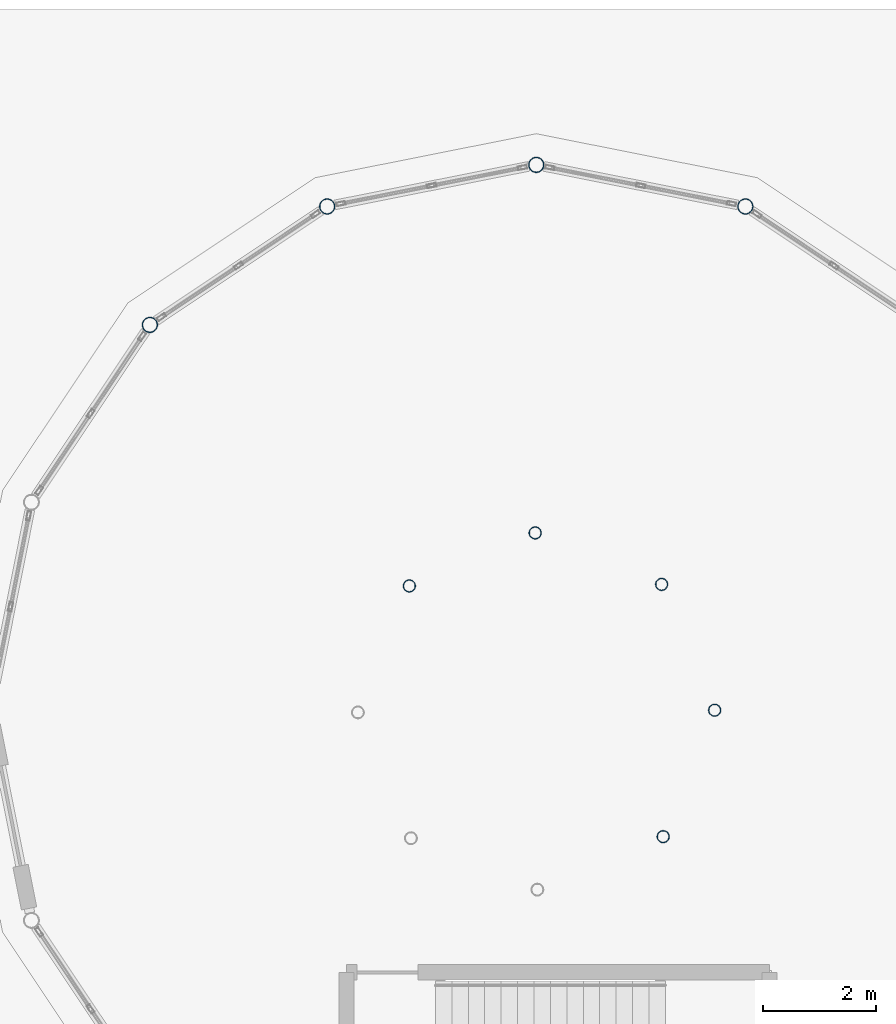
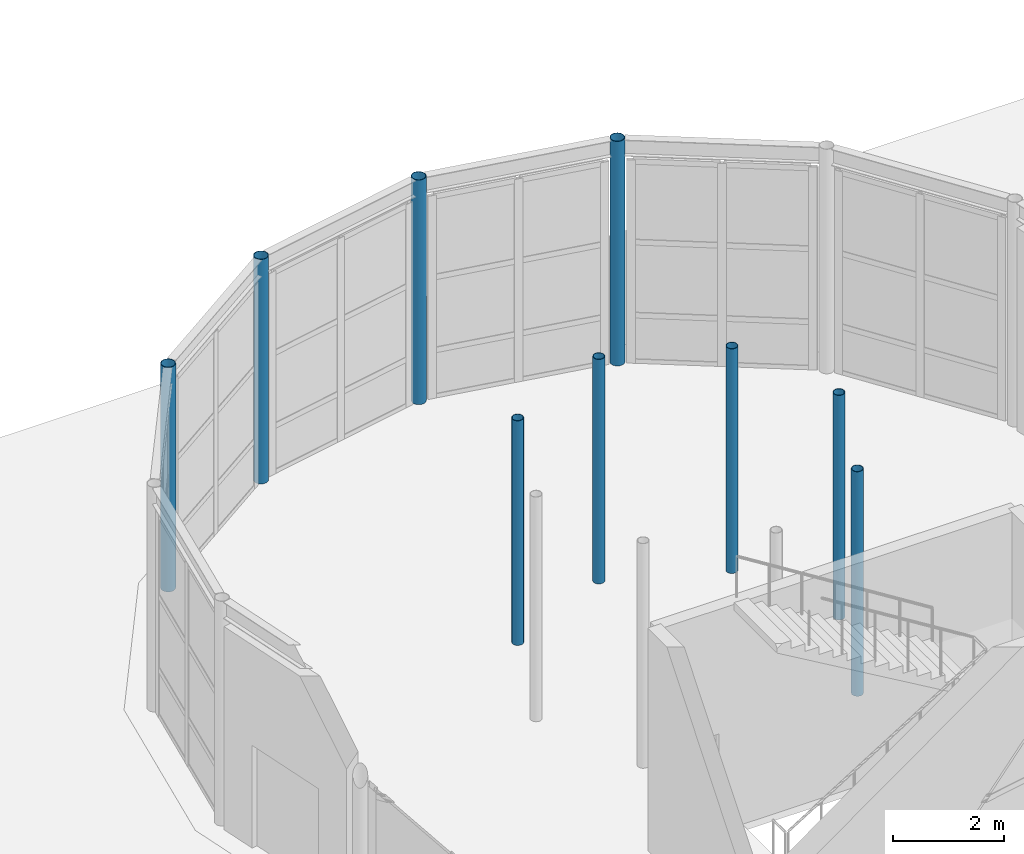
# One storey, part 4 of 57: 9 columns.
"""IFC4 building model written with IfcOpenShell, lengths in metres."""

from ifc_helpers import new_model, si_unit, direction, frame, origin, origin_2d, place, context, subcontext, project, spatial, hollow_circle, extrude, material, material_profile, profile_set, type_object, element, save


model = new_model("IFC4")

# Units and contexts
model_context = context("Model", 3, precision=1e-05, world=origin(), true_north=direction((0.0, 1.0)))
body_context = subcontext(model_context, "Body", "Model", "MODEL_VIEW")
ifc_project = project(units=[si_unit("LENGTHUNIT", "METRE"), si_unit("AREAUNIT", "SQUARE_METRE"), si_unit("VOLUMEUNIT", "CUBIC_METRE"), si_unit("PLANEANGLEUNIT", "RADIAN"), si_unit("MASSUNIT", "GRAM", prefix="KILO")], contexts=[model_context])

# Site, building, storey
site_placement = place(None, origin())
site = spatial("IfcSite", under=ifc_project, at=site_placement, CompositionType="ELEMENT")
building_placement = place(site_placement, origin())
building = spatial("IfcBuilding", under=site, at=building_placement, Name="Kharisveld Research Institute", CompositionType="ELEMENT")
storey_placement = place(building_placement, origin())
storey = spatial("IfcBuildingStorey", under=building, at=storey_placement, Name="L00", CompositionType="ELEMENT", Elevation=0.0)

# Columns
ifc_material_1 = material(Name="Steel S355J2H", Category="steel")
ifc_material_profile_1 = material_profile(ifc_material_1, hollow_circle(Radius=0.109619140625, WallThickness=0.010009765625, at=origin_2d()))
ifc_profile_set_1 = profile_set([ifc_material_profile_1], Name="Steel S355J2H")
column_type_1 = type_object("IfcColumnType", Name="COL_ST_CHS219", PredefinedType="COLUMN", material=ifc_profile_set_1)
for number, where, z_axis, x_axis, name in (
    (1, (62.64990234375, 50.8193359375, 0.0), (0.0, 0.0, 1.0), (1.0, 0.0, 0.0), "COL:V6:L00:OC00"),
    (2, (61.713623046875, 53.041015625, 0.0), (0.0, 0.0, 1.0), (1.0, 0.0, 0.0), "COL:V6:L00:OC02"),
    (3, (59.480712890625, 53.949951171875, 0.0), (0.0, 0.0, 1.0), (1.0, 0.0, 0.0), "COL:V6:L00:OC04"),
    (4, (57.259033203125, 53.013671875, 0.0), (0.0, 0.0, 1.0), (1.0, 0.0, 0.0), "COL:V6:L00:OC06"),
    (5, (61.740966796875, 48.586181640625, 0.0), (0.0, 0.0, 1.0), (1.0, 0.0, 0.0), "COL:V6:L00:OC14"),
):
    element("IfcColumn", number, at=place(storey_placement, frame(where, z_axis=z_axis, x_axis=x_axis)), inside=storey, type_object=column_type_1, Name=name, PredefinedType="COLUMN", context=body_context, shape_type="SweptSolid", body=[
        extrude(hollow_circle(Radius=0.109619140625, WallThickness=0.010009765625, at=origin_2d()), origin(), (0.0, 0.0, 1.0), 4.919921875),
    ])
ifc_material_2 = material(Name="Steel S355J2H", Category="steel")
ifc_material_profile_2 = material_profile(ifc_material_2, hollow_circle(Radius=0.136474609375, WallThickness=0.010009765625, at=origin_2d()))
ifc_profile_set_2 = profile_set([ifc_material_profile_2], Name="Steel S355J2H")
column_type_2 = type_object("IfcColumnType", Name="COL_ST_CHS273", PredefinedType="COLUMN", material=ifc_profile_set_2)
for number, where, z_axis, x_axis, name in (
    (6, (63.19287109375, 59.71533203125, 0.0), (0.0, 0.0, 1.0), (1.0, 0.0, 0.0), "COL:V6:L00:R03"),
    (7, (59.5, 60.449951171875, 0.0), (0.0, 0.0, 1.0), (1.0, 0.0, 0.0), "COL:V6:L00:R04"),
    (8, (55.80712890625, 59.71533203125, 0.0), (0.0, 0.0, 1.0), (1.0, 0.0, 0.0), "COL:V6:L00:R05"),
    (9, (52.676513671875, 57.62353515625, 0.0), (0.0, 0.0, 1.0), (1.0, 0.0, 0.0), "COL:V6:L00:R06"),
):
    element("IfcColumn", number, at=place(storey_placement, frame(where, z_axis=z_axis, x_axis=x_axis)), inside=storey, type_object=column_type_2, Name=name, PredefinedType="COLUMN", context=body_context, shape_type="SweptSolid", body=[
        extrude(hollow_circle(Radius=0.136474609375, WallThickness=0.010009765625, at=origin_2d()), origin(), (0.0, 0.0, 1.0), 4.919921875),
    ])

save(model, "model.ifc")
